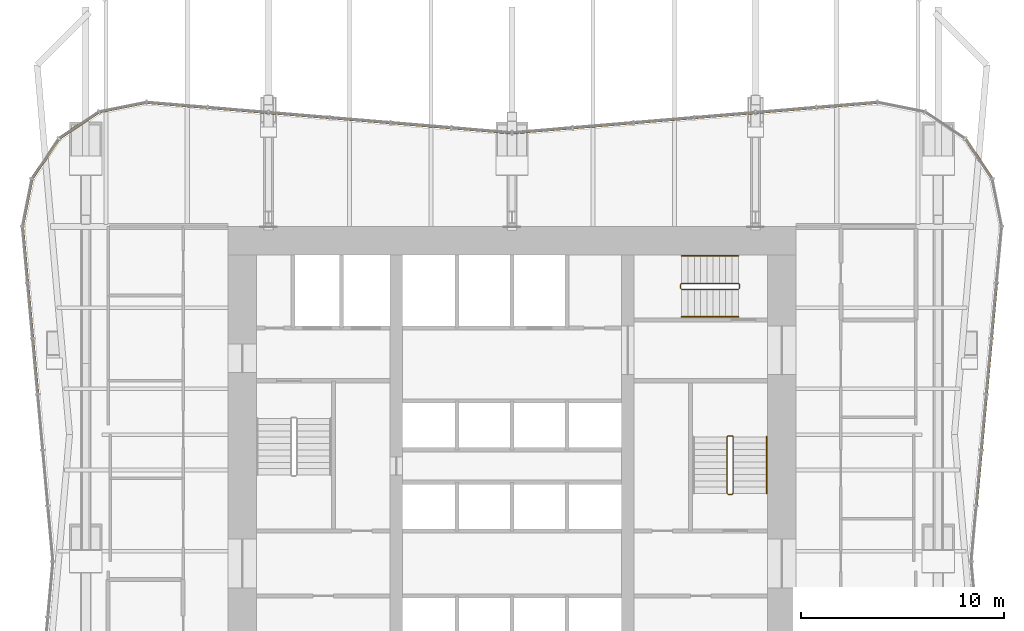
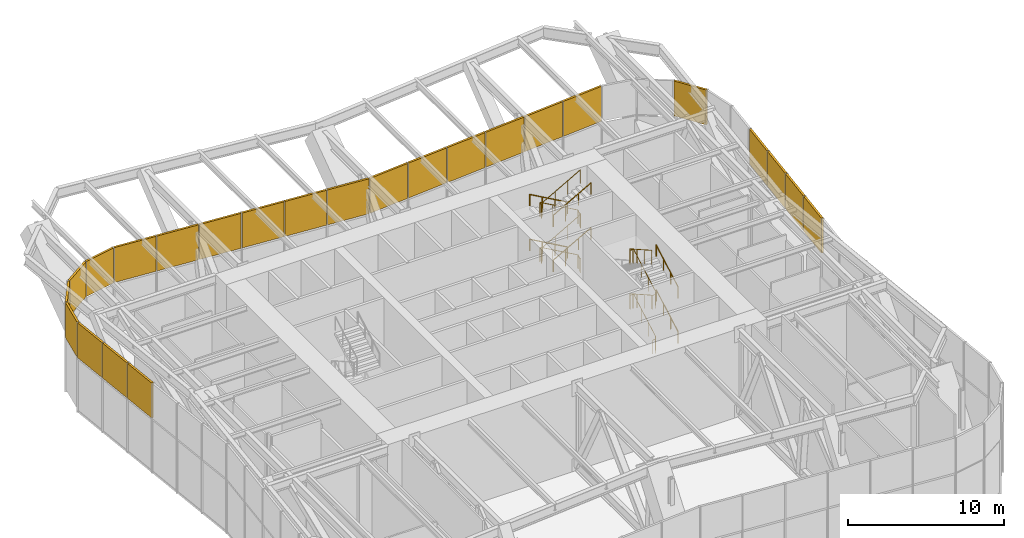
# One storey, part 16 of 17: 24 shading devices, 8 railings, 5 elements without a shape of their own.
"""IFC4 building model written with IfcOpenShell, lengths in metres."""

from ifc_helpers import new_model, si_unit, direction, frame, origin, origin_2d, place, context, subcontext, project, spatial, rectangle, circle, extrude, material, layer, layer_set, type_object, element, aggregate, save


model = new_model("IFC4")

# Units and contexts
model_context = context("Model", 3, precision=1e-05, world=origin(), true_north=direction((0.0, 1.0)))
body_context = subcontext(model_context, "Body", "Model", "MODEL_VIEW")
ifc_project = project(units=[si_unit("LENGTHUNIT", "METRE"), si_unit("AREAUNIT", "SQUARE_METRE"), si_unit("VOLUMEUNIT", "CUBIC_METRE"), si_unit("PLANEANGLEUNIT", "RADIAN"), si_unit("MASSUNIT", "GRAM", prefix="KILO")], contexts=[model_context])

# Site, building, storey
site_placement = place(None, origin())
site = spatial("IfcSite", under=ifc_project, at=site_placement, CompositionType="ELEMENT")
building_placement = place(site_placement, origin())
building = spatial("IfcBuilding", under=site, at=building_placement, Name="Verdant Reach Tower", CompositionType="ELEMENT")
storey_placement = place(building_placement, frame((0.0, 0.0, 58.0)))
storey = spatial("IfcBuildingStorey", under=building, at=storey_placement, Name="L13 Plant", CompositionType="ELEMENT", Elevation=58.0)

# Railings
ifc_material_1 = material(Name="Stainless steel", Category="steel")
railing_type_1 = type_object("IfcRailingType", Name="CO-GUARD", PredefinedType="GUARDRAIL", material=ifc_material_1)
railing_1_placement = place(storey_placement, frame((10.64990234375, 25.800048828125, 0.0)))
element("IfcRailing", 1, at=railing_1_placement, inside=storey, type_object=railing_type_1, Name="L13 Plant ST-2 stair guard 1", PredefinedType="GUARDRAIL", context=body_context, shape_type="SweptSolid", body=[
    extrude(circle(Radius=0.02392578125, at=origin_2d()), frame((0.0, 0.0, 1.076171875), z_axis=(1.0, 0.0, 0.0), x_axis=(0.0, 1.0, 0.0)), (0.0, 0.0, 1.0), 0.2001953125),
    extrude(circle(Radius=0.02392578125, at=origin_2d()), frame((0.2001953125, 0.0, 1.076171875), z_axis=(0.263862480399, 0.265155923931, 0.927399011991), x_axis=(-0.708833529934, 0.705375805398, 0.0)), (0.0, 0.0, 1.0), 0.188720703125),
    extrude(circle(Radius=0.02392578125, at=origin_2d()), frame((0.25, 0.050048828125, 1.2509765625), z_axis=(0.0, 0.870815363784, 0.491610213684), x_axis=(-1.0, 0.0, 0.0)), (0.0, 0.0, 1.0), 3.20361328125),
    extrude(circle(Radius=0.02392578125, at=origin_2d()), frame((0.25, 2.83984375, 2.826171875), z_axis=(-0.705375805398, 0.708833529934, 0.0), x_axis=(-0.708833529934, -0.705375805398, 0.0)), (0.0, 0.0, 1.0), 0.070556640625),
    extrude(circle(Radius=0.02392578125, at=origin_2d()), frame((0.2001953125, 2.889892578125, 2.826171875), z_axis=(-1.0, 0.0, 0.0), x_axis=(0.0, -1.0, 0.0)), (0.0, 0.0, 1.0), 0.2001953125),
    extrude(circle(Radius=0.02392578125, at=origin_2d()), frame((0.0, 2.889892578125, 2.826171875), z_axis=(-0.263862480399, -0.265155923931, 0.927399011991), x_axis=(0.708833529934, -0.705375805398, 0.0)), (0.0, 0.0, 1.0), 0.188720703125),
    extrude(circle(Radius=0.02392578125, at=origin_2d()), frame((-0.0498046875, 2.83984375, 3.0009765625), z_axis=(0.0, -0.870815363784, 0.491610213684), x_axis=(1.0, 0.0, 0.0)), (0.0, 0.0, 1.0), 3.20361328125),
    extrude(circle(Radius=0.02392578125, at=origin_2d()), frame((-0.0498046875, 0.050048828125, 4.576171875), z_axis=(0.705375805398, -0.708833529934, 0.0), x_axis=(0.708833529934, 0.705375805398, 0.0)), (0.0, 0.0, 1.0), 0.070556640625),
    extrude(circle(Radius=0.02392578125, at=origin_2d()), frame((0.0, 0.0, 4.576171875), z_axis=(1.0, 0.0, 0.0), x_axis=(0.0, 1.0, 0.0)), (0.0, 0.0, 1.0), 0.2001953125),
    extrude(circle(Radius=0.02392578125, at=origin_2d()), frame((0.2001953125, 0.0, 4.576171875), z_axis=(0.263862480399, 0.265155923931, 0.927399011991), x_axis=(-0.708833529934, 0.705375805398, 0.0)), (0.0, 0.0, 1.0), 0.188720703125),
    extrude(circle(Radius=0.02392578125, at=origin_2d()), frame((0.25, 0.050048828125, 4.7509765625), z_axis=(0.0, 0.870815363784, 0.491610213684), x_axis=(-1.0, 0.0, 0.0)), (0.0, 0.0, 1.0), 3.20361328125),
    extrude(circle(Radius=0.02392578125, at=origin_2d()), frame((0.25, 2.83984375, 6.326171875), z_axis=(-0.705375805398, 0.708833529934, 0.0), x_axis=(-0.708833529934, -0.705375805398, 0.0)), (0.0, 0.0, 1.0), 0.070556640625),
    extrude(circle(Radius=0.02392578125, at=origin_2d()), frame((0.2001953125, 2.889892578125, 6.326171875), z_axis=(-1.0, 0.0, 0.0), x_axis=(0.0, -1.0, 0.0)), (0.0, 0.0, 1.0), 0.2001953125),
    extrude(circle(Radius=0.02392578125, at=origin_2d()), frame((0.0, 2.889892578125, 6.326171875), z_axis=(-0.263862480399, -0.265155923931, 0.927399011991), x_axis=(0.708833529934, -0.705375805398, 0.0)), (0.0, 0.0, 1.0), 0.188720703125),
    extrude(circle(Radius=0.02392578125, at=origin_2d()), frame((-0.0498046875, 2.83984375, 6.5009765625), z_axis=(0.0, -0.870815363784, 0.491610213684), x_axis=(1.0, 0.0, 0.0)), (0.0, 0.0, 1.0), 3.20361328125),
    extrude(circle(Radius=0.02099609375, at=origin_2d()), origin(), (0.0, 0.0, 1.0), 1.052001953125),
    extrude(circle(Radius=0.02099609375, at=origin_2d()), frame((0.2001953125, 0.0, 0.0)), (0.0, 0.0, 1.0), 1.052001953125),
    extrude(circle(Radius=0.02099609375, at=origin_2d()), frame((0.25, 0.050048828125, 0.175048828125)), (0.0, 0.0, 1.0), 1.052001953125),
    extrude(circle(Radius=0.02099609375, at=origin_2d()), frame((0.25, 0.97998046875, 0.699951171875)), (0.0, 0.0, 1.0), 1.052001953125),
    extrude(circle(Radius=0.02099609375, at=origin_2d()), frame((0.25, 1.909912109375, 1.22509765625)), (0.0, 0.0, 1.0), 1.052001953125),
    extrude(circle(Radius=0.02099609375, at=origin_2d()), frame((0.25, 2.83984375, 1.75)), (0.0, 0.0, 1.0), 1.052001953125),
    extrude(circle(Radius=0.02099609375, at=origin_2d()), frame((0.2001953125, 2.889892578125, 1.75)), (0.0, 0.0, 1.0), 1.052001953125),
    extrude(circle(Radius=0.02099609375, at=origin_2d()), frame((0.0, 2.889892578125, 1.75)), (0.0, 0.0, 1.0), 1.052001953125),
    extrude(circle(Radius=0.02099609375, at=origin_2d()), frame((-0.0498046875, 2.83984375, 1.925048828125)), (0.0, 0.0, 1.0), 1.052001953125),
    extrude(circle(Radius=0.02099609375, at=origin_2d()), frame((-0.0498046875, 1.909912109375, 2.449951171875)), (0.0, 0.0, 1.0), 1.052001953125),
    extrude(circle(Radius=0.02099609375, at=origin_2d()), frame((-0.0498046875, 0.97998046875, 2.97509765625)), (0.0, 0.0, 1.0), 1.052001953125),
    extrude(circle(Radius=0.02099609375, at=origin_2d()), frame((-0.0498046875, 0.050048828125, 3.5)), (0.0, 0.0, 1.0), 1.052001953125),
    extrude(circle(Radius=0.02099609375, at=origin_2d()), frame((0.0, 0.0, 3.5)), (0.0, 0.0, 1.0), 1.052001953125),
    extrude(circle(Radius=0.02099609375, at=origin_2d()), frame((0.2001953125, 0.0, 3.5)), (0.0, 0.0, 1.0), 1.052001953125),
    extrude(circle(Radius=0.02099609375, at=origin_2d()), frame((0.25, 0.050048828125, 3.675048828125)), (0.0, 0.0, 1.0), 1.052001953125),
    extrude(circle(Radius=0.02099609375, at=origin_2d()), frame((0.25, 0.97998046875, 4.199951171875)), (0.0, 0.0, 1.0), 1.052001953125),
    extrude(circle(Radius=0.02099609375, at=origin_2d()), frame((0.25, 1.909912109375, 4.72509765625)), (0.0, 0.0, 1.0), 1.052001953125),
    extrude(circle(Radius=0.02099609375, at=origin_2d()), frame((0.25, 2.83984375, 5.25)), (0.0, 0.0, 1.0), 1.052001953125),
    extrude(circle(Radius=0.02099609375, at=origin_2d()), frame((0.2001953125, 2.889892578125, 5.25)), (0.0, 0.0, 1.0), 1.052001953125),
    extrude(circle(Radius=0.02099609375, at=origin_2d()), frame((0.0, 2.889892578125, 5.25)), (0.0, 0.0, 1.0), 1.052001953125),
    extrude(circle(Radius=0.02099609375, at=origin_2d()), frame((-0.0498046875, 2.83984375, 5.425048828125)), (0.0, 0.0, 1.0), 1.052001953125),
    extrude(circle(Radius=0.02099609375, at=origin_2d()), frame((-0.0498046875, 1.909912109375, 5.949951171875)), (0.0, 0.0, 1.0), 1.052001953125),
    extrude(circle(Radius=0.02099609375, at=origin_2d()), frame((-0.0498046875, 0.97998046875, 6.47509765625)), (0.0, 0.0, 1.0), 1.052001953125),
    extrude(circle(Radius=0.02099609375, at=origin_2d()), frame((-0.0498046875, 0.050048828125, 7.0)), (0.0, 0.0, 1.0), 1.052001953125),
])
railing_2_placement = place(storey_placement, frame((11.199951171875, 35.949951171875, 0.0)))
element("IfcRailing", 2, at=railing_2_placement, inside=storey, type_object=railing_type_1, Name="L13 Plant ST-3 stair guard 1", PredefinedType="GUARDRAIL", context=body_context, shape_type="SweptSolid", body=[
    extrude(circle(Radius=0.02392578125, at=origin_2d()), frame((0.0, 0.0, 1.076171875), z_axis=(0.0, 1.0, 0.0), x_axis=(-1.0, 0.0, 0.0)), (0.0, 0.0, 1.0), 0.199951171875),
    extrude(circle(Radius=0.02392578125, at=origin_2d()), frame((0.0, 0.199951171875, 1.076171875), z_axis=(-0.265065253269, 0.265065253269, 0.927081885822), x_axis=(-0.707106781187, -0.707106781187, 0.0)), (0.0, 0.0, 1.0), 0.188720703125),
    extrude(circle(Radius=0.02392578125, at=origin_2d()), frame((-0.050048828125, 0.25, 1.2509765625), z_axis=(-0.870815363784, 0.0, 0.491610213684), x_axis=(0.0, -1.0, 0.0)), (0.0, 0.0, 1.0), 3.20361328125),
    extrude(circle(Radius=0.02392578125, at=origin_2d()), frame((-2.83984375, 0.25, 2.826171875), z_axis=(-0.707106781187, -0.707106781187, 0.0), x_axis=(0.707106781187, -0.707106781187, 0.0)), (0.0, 0.0, 1.0), 0.07080078125),
    extrude(circle(Radius=0.02392578125, at=origin_2d()), frame((-2.889892578125, 0.199951171875, 2.826171875), z_axis=(0.0, -1.0, 0.0), x_axis=(1.0, 0.0, 0.0)), (0.0, 0.0, 1.0), 0.199951171875),
    extrude(circle(Radius=0.02392578125, at=origin_2d()), frame((-2.889892578125, 0.0, 2.826171875), z_axis=(0.265065253269, -0.265065253269, 0.927081885822), x_axis=(0.707106781187, 0.707106781187, 0.0)), (0.0, 0.0, 1.0), 0.188720703125),
    extrude(circle(Radius=0.02392578125, at=origin_2d()), frame((-2.83984375, -0.050048828125, 3.0009765625), z_axis=(0.870815363784, 0.0, 0.491610213684), x_axis=(0.0, 1.0, 0.0)), (0.0, 0.0, 1.0), 3.20361328125),
    extrude(circle(Radius=0.02392578125, at=origin_2d()), frame((-0.050048828125, -0.050048828125, 4.576171875), z_axis=(0.707106781187, 0.707106781187, 0.0), x_axis=(-0.707106781187, 0.707106781187, 0.0)), (0.0, 0.0, 1.0), 0.07080078125),
    extrude(circle(Radius=0.02392578125, at=origin_2d()), frame((0.0, 0.0, 4.576171875), z_axis=(0.0, 1.0, 0.0), x_axis=(-1.0, 0.0, 0.0)), (0.0, 0.0, 1.0), 0.199951171875),
    extrude(circle(Radius=0.02392578125, at=origin_2d()), frame((0.0, 0.199951171875, 4.576171875), z_axis=(-0.265065253269, 0.265065253269, 0.927081885822), x_axis=(-0.707106781187, -0.707106781187, 0.0)), (0.0, 0.0, 1.0), 0.188720703125),
    extrude(circle(Radius=0.02392578125, at=origin_2d()), frame((-0.050048828125, 0.25, 4.7509765625), z_axis=(-0.870815363784, 0.0, 0.491610213684), x_axis=(0.0, -1.0, 0.0)), (0.0, 0.0, 1.0), 3.20361328125),
    extrude(circle(Radius=0.02392578125, at=origin_2d()), frame((-2.83984375, 0.25, 6.326171875), z_axis=(-0.707106781187, -0.707106781187, 0.0), x_axis=(0.707106781187, -0.707106781187, 0.0)), (0.0, 0.0, 1.0), 0.07080078125),
    extrude(circle(Radius=0.02392578125, at=origin_2d()), frame((-2.889892578125, 0.199951171875, 6.326171875), z_axis=(0.0, -1.0, 0.0), x_axis=(1.0, 0.0, 0.0)), (0.0, 0.0, 1.0), 0.199951171875),
    extrude(circle(Radius=0.02392578125, at=origin_2d()), frame((-2.889892578125, 0.0, 6.326171875), z_axis=(0.265065253269, -0.265065253269, 0.927081885822), x_axis=(0.707106781187, 0.707106781187, 0.0)), (0.0, 0.0, 1.0), 0.188720703125),
    extrude(circle(Radius=0.02392578125, at=origin_2d()), frame((-2.83984375, -0.050048828125, 6.5009765625), z_axis=(0.870815363784, 0.0, 0.491610213684), x_axis=(0.0, 1.0, 0.0)), (0.0, 0.0, 1.0), 3.20361328125),
    extrude(circle(Radius=0.02099609375, at=origin_2d()), origin(), (0.0, 0.0, 1.0), 1.052001953125),
    extrude(circle(Radius=0.02099609375, at=origin_2d()), frame((0.0, 0.199951171875, 0.0)), (0.0, 0.0, 1.0), 1.052001953125),
    extrude(circle(Radius=0.02099609375, at=origin_2d()), frame((-0.050048828125, 0.25, 0.175048828125)), (0.0, 0.0, 1.0), 1.052001953125),
    extrude(circle(Radius=0.02099609375, at=origin_2d()), frame((-0.97998046875, 0.25, 0.699951171875)), (0.0, 0.0, 1.0), 1.052001953125),
    extrude(circle(Radius=0.02099609375, at=origin_2d()), frame((-1.909912109375, 0.25, 1.22509765625)), (0.0, 0.0, 1.0), 1.052001953125),
    extrude(circle(Radius=0.02099609375, at=origin_2d()), frame((-2.83984375, 0.25, 1.75)), (0.0, 0.0, 1.0), 1.052001953125),
    extrude(circle(Radius=0.02099609375, at=origin_2d()), frame((-2.889892578125, 0.199951171875, 1.75)), (0.0, 0.0, 1.0), 1.052001953125),
    extrude(circle(Radius=0.02099609375, at=origin_2d()), frame((-2.889892578125, 0.0, 1.75)), (0.0, 0.0, 1.0), 1.052001953125),
    extrude(circle(Radius=0.02099609375, at=origin_2d()), frame((-2.83984375, -0.050048828125, 1.925048828125)), (0.0, 0.0, 1.0), 1.052001953125),
    extrude(circle(Radius=0.02099609375, at=origin_2d()), frame((-1.909912109375, -0.050048828125, 2.449951171875)), (0.0, 0.0, 1.0), 1.052001953125),
    extrude(circle(Radius=0.02099609375, at=origin_2d()), frame((-0.97998046875, -0.050048828125, 2.97509765625)), (0.0, 0.0, 1.0), 1.052001953125),
    extrude(circle(Radius=0.02099609375, at=origin_2d()), frame((-0.050048828125, -0.050048828125, 3.5)), (0.0, 0.0, 1.0), 1.052001953125),
    extrude(circle(Radius=0.02099609375, at=origin_2d()), frame((0.0, 0.0, 3.5)), (0.0, 0.0, 1.0), 1.052001953125),
    extrude(circle(Radius=0.02099609375, at=origin_2d()), frame((0.0, 0.199951171875, 3.5)), (0.0, 0.0, 1.0), 1.052001953125),
    extrude(circle(Radius=0.02099609375, at=origin_2d()), frame((-0.050048828125, 0.25, 3.675048828125)), (0.0, 0.0, 1.0), 1.052001953125),
    extrude(circle(Radius=0.02099609375, at=origin_2d()), frame((-0.97998046875, 0.25, 4.199951171875)), (0.0, 0.0, 1.0), 1.052001953125),
    extrude(circle(Radius=0.02099609375, at=origin_2d()), frame((-1.909912109375, 0.25, 4.72509765625)), (0.0, 0.0, 1.0), 1.052001953125),
    extrude(circle(Radius=0.02099609375, at=origin_2d()), frame((-2.83984375, 0.25, 5.25)), (0.0, 0.0, 1.0), 1.052001953125),
    extrude(circle(Radius=0.02099609375, at=origin_2d()), frame((-2.889892578125, 0.199951171875, 5.25)), (0.0, 0.0, 1.0), 1.052001953125),
    extrude(circle(Radius=0.02099609375, at=origin_2d()), frame((-2.889892578125, 0.0, 5.25)), (0.0, 0.0, 1.0), 1.052001953125),
    extrude(circle(Radius=0.02099609375, at=origin_2d()), frame((-2.83984375, -0.050048828125, 5.425048828125)), (0.0, 0.0, 1.0), 1.052001953125),
    extrude(circle(Radius=0.02099609375, at=origin_2d()), frame((-1.909912109375, -0.050048828125, 5.949951171875)), (0.0, 0.0, 1.0), 1.052001953125),
    extrude(circle(Radius=0.02099609375, at=origin_2d()), frame((-0.97998046875, -0.050048828125, 6.47509765625)), (0.0, 0.0, 1.0), 1.052001953125),
    extrude(circle(Radius=0.02099609375, at=origin_2d()), frame((-0.050048828125, -0.050048828125, 7.0)), (0.0, 0.0, 1.0), 1.052001953125),
])
railing_type_2 = type_object("IfcRailingType", Name="CO-HANDRAIL", PredefinedType="HANDRAIL", material=ifc_material_1)
for number, where, name in (
    (3, (12.550048828125, 25.85009765625, 0.175048828125), "L13 Plant ST-2 stair handrail 1"),
    (4, (12.550048828125, 25.85009765625, 3.675048828125), "L13 Plant ST-2 stair handrail 3"),
):
    element("IfcRailing", number, at=place(storey_placement, frame(where)), inside=storey, type_object=railing_type_2, Name=name, PredefinedType="HANDRAIL", context=body_context, shape_type="SweptSolid", body=[
        extrude(circle(Radius=0.02392578125, at=origin_2d()), frame((0.0, 0.0, 0.8759765625), z_axis=(0.0, 0.870815363784, 0.491610213684), x_axis=(-1.0, 0.0, 0.0)), (0.0, 0.0, 1.0), 3.20361328125),
        extrude(circle(Radius=0.02099609375, at=origin_2d()), origin(), (0.0, 0.0, 1.0), 0.851806640625),
        extrude(circle(Radius=0.02099609375, at=origin_2d()), frame((0.0, 0.929931640625, 0.52490234375)), (0.0, 0.0, 1.0), 0.851806640625),
        extrude(circle(Radius=0.02099609375, at=origin_2d()), frame((0.0, 1.85986328125, 1.050048828125)), (0.0, 0.0, 1.0), 0.851806640625),
        extrude(circle(Radius=0.02099609375, at=origin_2d()), frame((0.0, 2.789794921875, 1.574951171875)), (0.0, 0.0, 1.0), 0.851806640625),
    ])
railing_3_placement = place(storey_placement, frame((11.14990234375, 37.550048828125, 0.175048828125)))
element("IfcRailing", 5, at=railing_3_placement, inside=storey, type_object=railing_type_2, Name="L13 Plant ST-3 stair handrail 1", PredefinedType="HANDRAIL", context=body_context, shape_type="SweptSolid", body=[
    extrude(circle(Radius=0.02392578125, at=origin_2d()), frame((0.0, 0.0, 0.8759765625), z_axis=(-0.870815363784, 0.0, 0.491610213684), x_axis=(0.0, -1.0, 0.0)), (0.0, 0.0, 1.0), 3.20361328125),
    extrude(circle(Radius=0.02099609375, at=origin_2d()), origin(), (0.0, 0.0, 1.0), 0.851806640625),
    extrude(circle(Radius=0.02099609375, at=origin_2d()), frame((-0.929931640625, 0.0, 0.52490234375)), (0.0, 0.0, 1.0), 0.851806640625),
    extrude(circle(Radius=0.02099609375, at=origin_2d()), frame((-1.85986328125, 0.0, 1.050048828125)), (0.0, 0.0, 1.0), 0.851806640625),
    extrude(circle(Radius=0.02099609375, at=origin_2d()), frame((-2.789794921875, 0.0, 1.574951171875)), (0.0, 0.0, 1.0), 0.851806640625),
])
railing_4_placement = place(storey_placement, frame((8.360107421875, 34.550048828125, 1.925048828125)))
element("IfcRailing", 6, at=railing_4_placement, inside=storey, type_object=railing_type_2, Name="L13 Plant ST-3 stair handrail 2", PredefinedType="HANDRAIL", context=body_context, shape_type="SweptSolid", body=[
    extrude(circle(Radius=0.02392578125, at=origin_2d()), frame((0.0, 0.0, 0.8759765625), z_axis=(0.870815363784, 0.0, 0.491610213684), x_axis=(0.0, 1.0, 0.0)), (0.0, 0.0, 1.0), 3.20361328125),
    extrude(circle(Radius=0.02099609375, at=origin_2d()), origin(), (0.0, 0.0, 1.0), 0.851806640625),
    extrude(circle(Radius=0.02099609375, at=origin_2d()), frame((0.929931640625, 0.0, 0.52490234375)), (0.0, 0.0, 1.0), 0.851806640625),
    extrude(circle(Radius=0.02099609375, at=origin_2d()), frame((1.85986328125, 0.0, 1.050048828125)), (0.0, 0.0, 1.0), 0.851806640625),
    extrude(circle(Radius=0.02099609375, at=origin_2d()), frame((2.789794921875, 0.0, 1.574951171875)), (0.0, 0.0, 1.0), 0.851806640625),
])
railing_5_placement = place(storey_placement, frame((11.14990234375, 37.550048828125, 3.675048828125)))
element("IfcRailing", 7, at=railing_5_placement, inside=storey, type_object=railing_type_2, Name="L13 Plant ST-3 stair handrail 3", PredefinedType="HANDRAIL", context=body_context, shape_type="SweptSolid", body=[
    extrude(circle(Radius=0.02392578125, at=origin_2d()), frame((0.0, 0.0, 0.8759765625), z_axis=(-0.870815363784, 0.0, 0.491610213684), x_axis=(0.0, -1.0, 0.0)), (0.0, 0.0, 1.0), 3.20361328125),
    extrude(circle(Radius=0.02099609375, at=origin_2d()), origin(), (0.0, 0.0, 1.0), 0.851806640625),
    extrude(circle(Radius=0.02099609375, at=origin_2d()), frame((-0.929931640625, 0.0, 0.52490234375)), (0.0, 0.0, 1.0), 0.851806640625),
    extrude(circle(Radius=0.02099609375, at=origin_2d()), frame((-1.85986328125, 0.0, 1.050048828125)), (0.0, 0.0, 1.0), 0.851806640625),
    extrude(circle(Radius=0.02099609375, at=origin_2d()), frame((-2.789794921875, 0.0, 1.574951171875)), (0.0, 0.0, 1.0), 0.851806640625),
])
railing_6_placement = place(storey_placement, frame((8.360107421875, 34.550048828125, 5.425048828125)))
element("IfcRailing", 8, at=railing_6_placement, inside=storey, type_object=railing_type_2, Name="L13 Plant ST-3 stair handrail 4", PredefinedType="HANDRAIL", context=body_context, shape_type="SweptSolid", body=[
    extrude(circle(Radius=0.02392578125, at=origin_2d()), frame((0.0, 0.0, 0.8759765625), z_axis=(0.870815363784, 0.0, 0.491610213684), x_axis=(0.0, 1.0, 0.0)), (0.0, 0.0, 1.0), 3.20361328125),
    extrude(circle(Radius=0.02099609375, at=origin_2d()), origin(), (0.0, 0.0, 1.0), 0.851806640625),
    extrude(circle(Radius=0.02099609375, at=origin_2d()), frame((0.929931640625, 0.0, 0.52490234375)), (0.0, 0.0, 1.0), 0.851806640625),
    extrude(circle(Radius=0.02099609375, at=origin_2d()), frame((1.85986328125, 0.0, 1.050048828125)), (0.0, 0.0, 1.0), 0.851806640625),
    extrude(circle(Radius=0.02099609375, at=origin_2d()), frame((2.789794921875, 0.0, 1.574951171875)), (0.0, 0.0, 1.0), 0.851806640625),
])

# Curtain wall, shading devices
ifc_material_2 = material(Name="Anodised aluminium", Category="aluminium")
curtain_wall_type = type_object("IfcCurtainWallType", Name="EN-CW SYSTEM PLANT", PredefinedType="NOTDEFINED", material=ifc_material_2)
curtain_wall_1_placement = place(storey_placement, origin())
curtain_wall_1 = element("IfcCurtainWall", 9, at=curtain_wall_1_placement, inside=storey, type_object=curtain_wall_type, Name="Curtain wall east, L13", PredefinedType="NOTDEFINED")
ifc_material_3 = material(Name="Bronze anodised aluminium louvre", Category="aluminium")
ifc_layer = layer(ifc_material_3, 0.14990234375)
ifc_layer_set = layer_set([ifc_layer], Name="EN-LOUVRE")
shading_device_type = type_object("IfcShadingDeviceType", Name="EN-LOUVRE", PredefinedType="USERDEFINED", material=ifc_layer_set)
shading_device_1_placement = place(storey_placement, frame((22.993408203125, 26.6142578125, 3.925048828125), z_axis=(0.0, 0.0, 1.0), x_axis=(0.090535746047, 0.995893206467, 0.0)))
shading_device_1 = element("IfcShadingDevice", 10, at=shading_device_1_placement, type_object=shading_device_type, Name="Louvre bank east face part 2 2, L13", ObjectType="LOUVRE", PredefinedType="USERDEFINED", context=body_context, shape_type="SweptSolid", body=[
    extrude(rectangle(XDim=2.685302734375, YDim=0.14990234375, at=origin_2d()), origin(), (0.0, 0.0, 1.0), 2.72509765625),
])
shading_device_2_placement = place(storey_placement, frame((23.243408203125, 29.3642578125, 3.925048828125), z_axis=(0.0, 0.0, 1.0), x_axis=(0.090535746047, 0.995893206467, 0.0)))
shading_device_2 = element("IfcShadingDevice", 11, at=shading_device_2_placement, type_object=shading_device_type, Name="Louvre bank east face part 2 3, L13", ObjectType="LOUVRE", PredefinedType="USERDEFINED", context=body_context, shape_type="SweptSolid", body=[
    extrude(rectangle(XDim=2.685302734375, YDim=0.14990234375, at=origin_2d()), origin(), (0.0, 0.0, 1.0), 2.72509765625),
])
shading_device_3_placement = place(storey_placement, frame((23.493408203125, 32.1142578125, 3.925048828125), z_axis=(0.0, 0.0, 1.0), x_axis=(0.090535746047, 0.995893206467, 0.0)))
shading_device_3 = element("IfcShadingDevice", 12, at=shading_device_3_placement, type_object=shading_device_type, Name="Louvre bank east face part 2 4, L13", ObjectType="LOUVRE", PredefinedType="USERDEFINED", context=body_context, shape_type="SweptSolid", body=[
    extrude(rectangle(XDim=2.685302734375, YDim=0.14990234375, at=origin_2d()), origin(), (0.0, 0.0, 1.0), 2.72509765625),
])
shading_device_4_placement = place(storey_placement, frame((23.743408203125, 34.8642578125, 3.925048828125), z_axis=(0.0, 0.0, 1.0), x_axis=(0.090535746047, 0.995893206467, 0.0)))
shading_device_4 = element("IfcShadingDevice", 13, at=shading_device_4_placement, type_object=shading_device_type, Name="Louvre bank east face part 2 5, L13", ObjectType="LOUVRE", PredefinedType="USERDEFINED", context=body_context, shape_type="SweptSolid", body=[
    extrude(rectangle(XDim=2.685302734375, YDim=0.14990234375, at=origin_2d()), origin(), (0.0, 0.0, 1.0), 2.72509765625),
])
aggregate(curtain_wall_1, [shading_device_1, shading_device_2, shading_device_3, shading_device_4])

# Curtain wall, shading device
curtain_wall_2_placement = place(storey_placement, origin())
curtain_wall_2 = element("IfcCurtainWall", 14, at=curtain_wall_2_placement, inside=storey, type_object=curtain_wall_type, Name="Curtain wall north-east corner, L13", PredefinedType="NOTDEFINED")
shading_device_5_placement = place(storey_placement, frame((22.989990234375, 42.334228515625, 3.925048828125), z_axis=(0.0, 0.0, 1.0), x_axis=(-0.555596466265, 0.83145208321, 0.0)))
shading_device_5 = element("IfcShadingDevice", 15, at=shading_device_5_placement, type_object=shading_device_type, Name="Louvre bank north-east corner 2, L13", ObjectType="LOUVRE", PredefinedType="USERDEFINED", context=body_context, shape_type="SweptSolid", body=[
    extrude(rectangle(XDim=2.3115234375, YDim=0.14990234375, at=origin_2d()), origin(), (0.0, 0.0, 1.0), 2.72509765625),
])
aggregate(curtain_wall_2, [shading_device_5])

# Curtain wall, shading devices
curtain_wall_3_placement = place(storey_placement, origin())
curtain_wall_3 = element("IfcCurtainWall", 16, at=curtain_wall_3_placement, inside=storey, type_object=curtain_wall_type, Name="Curtain wall north, L13", PredefinedType="NOTDEFINED")
shading_device_6_placement = place(storey_placement, frame((16.49853515625, 44.99365234375, 3.925048828125), z_axis=(0.0, 0.0, 1.0), x_axis=(-0.996577509664, -0.082663578629, 0.0)))
shading_device_6 = element("IfcShadingDevice", 17, at=shading_device_6_placement, type_object=shading_device_type, Name="Louvre bank north face part 1 1, L13", ObjectType="LOUVRE", PredefinedType="USERDEFINED", context=body_context, shape_type="SweptSolid", body=[
    extrude(rectangle(XDim=2.950927734375, YDim=0.14990234375, at=origin_2d()), origin(), (0.0, 0.0, 1.0), 2.72509765625),
])
shading_device_7_placement = place(storey_placement, frame((13.490234375, 44.74365234375, 3.925048828125), z_axis=(0.0, 0.0, 1.0), x_axis=(-0.996545758244, -0.083045479859, 0.0)))
shading_device_7 = element("IfcShadingDevice", 18, at=shading_device_7_placement, type_object=shading_device_type, Name="Louvre bank north face part 1 2, L13", ObjectType="LOUVRE", PredefinedType="USERDEFINED", context=body_context, shape_type="SweptSolid", body=[
    extrude(rectangle(XDim=2.934326171875, YDim=0.14990234375, at=origin_2d()), origin(), (0.0, 0.0, 1.0), 2.72509765625),
])
shading_device_8_placement = place(storey_placement, frame((10.490234375, 44.49365234375, 3.925048828125), z_axis=(0.0, 0.0, 1.0), x_axis=(-0.996545758244, -0.083045479859, 0.0)))
shading_device_8 = element("IfcShadingDevice", 19, at=shading_device_8_placement, type_object=shading_device_type, Name="Louvre bank north face part 1 3, L13", ObjectType="LOUVRE", PredefinedType="USERDEFINED", context=body_context, shape_type="SweptSolid", body=[
    extrude(rectangle(XDim=2.934326171875, YDim=0.14990234375, at=origin_2d()), origin(), (0.0, 0.0, 1.0), 2.72509765625),
])
shading_device_9_placement = place(storey_placement, frame((7.490234375, 44.24365234375, 3.925048828125), z_axis=(0.0, 0.0, 1.0), x_axis=(-0.996545758244, -0.083045479859, 0.0)))
shading_device_9 = element("IfcShadingDevice", 20, at=shading_device_9_placement, type_object=shading_device_type, Name="Louvre bank north face part 1 4, L13", ObjectType="LOUVRE", PredefinedType="USERDEFINED", context=body_context, shape_type="SweptSolid", body=[
    extrude(rectangle(XDim=2.934326171875, YDim=0.14990234375, at=origin_2d()), origin(), (0.0, 0.0, 1.0), 2.72509765625),
])
shading_device_10_placement = place(storey_placement, frame((4.490234375, 43.99365234375, 3.925048828125), z_axis=(0.0, 0.0, 1.0), x_axis=(-0.996545758244, -0.083045479859, 0.0)))
shading_device_10 = element("IfcShadingDevice", 21, at=shading_device_10_placement, type_object=shading_device_type, Name="Louvre bank north face part 1 5, L13", ObjectType="LOUVRE", PredefinedType="USERDEFINED", context=body_context, shape_type="SweptSolid", body=[
    extrude(rectangle(XDim=2.934326171875, YDim=0.14990234375, at=origin_2d()), origin(), (0.0, 0.0, 1.0), 2.72509765625),
])
shading_device_11_placement = place(storey_placement, frame((1.4951171875, 43.743896484375, 3.925048828125), z_axis=(0.0, 0.0, 1.0), x_axis=(-0.996534372104, -0.083182000546, 0.0)))
shading_device_11 = element("IfcShadingDevice", 22, at=shading_device_11_placement, type_object=shading_device_type, Name="Louvre bank north face part 1 6, L13", ObjectType="LOUVRE", PredefinedType="USERDEFINED", context=body_context, shape_type="SweptSolid", body=[
    extrude(rectangle(XDim=2.924560546875, YDim=0.14990234375, at=origin_2d()), origin(), (0.0, 0.0, 1.0), 2.72509765625),
])
shading_device_12_placement = place(storey_placement, frame((-1.4951171875, 43.743896484375, 3.925048828125), z_axis=(0.0, 0.0, 1.0), x_axis=(-0.996534372104, 0.083182000546, 0.0)))
shading_device_12 = element("IfcShadingDevice", 23, at=shading_device_12_placement, type_object=shading_device_type, Name="Louvre bank north face part 2 1, L13", ObjectType="LOUVRE", PredefinedType="USERDEFINED", context=body_context, shape_type="SweptSolid", body=[
    extrude(rectangle(XDim=2.924560546875, YDim=0.14990234375, at=origin_2d()), origin(), (0.0, 0.0, 1.0), 2.72509765625),
])
shading_device_13_placement = place(storey_placement, frame((-4.490234375, 43.99365234375, 3.925048828125), z_axis=(0.0, 0.0, 1.0), x_axis=(-0.996545758244, 0.083045479859, 0.0)))
shading_device_13 = element("IfcShadingDevice", 24, at=shading_device_13_placement, type_object=shading_device_type, Name="Louvre bank north face part 2 2, L13", ObjectType="LOUVRE", PredefinedType="USERDEFINED", context=body_context, shape_type="SweptSolid", body=[
    extrude(rectangle(XDim=2.934326171875, YDim=0.14990234375, at=origin_2d()), origin(), (0.0, 0.0, 1.0), 2.72509765625),
])
shading_device_14_placement = place(storey_placement, frame((-7.490234375, 44.24365234375, 3.925048828125), z_axis=(0.0, 0.0, 1.0), x_axis=(-0.996545758244, 0.083045479859, 0.0)))
shading_device_14 = element("IfcShadingDevice", 25, at=shading_device_14_placement, type_object=shading_device_type, Name="Louvre bank north face part 2 3, L13", ObjectType="LOUVRE", PredefinedType="USERDEFINED", context=body_context, shape_type="SweptSolid", body=[
    extrude(rectangle(XDim=2.934326171875, YDim=0.14990234375, at=origin_2d()), origin(), (0.0, 0.0, 1.0), 2.72509765625),
])
shading_device_15_placement = place(storey_placement, frame((-10.490234375, 44.49365234375, 3.925048828125), z_axis=(0.0, 0.0, 1.0), x_axis=(-0.996545758244, 0.083045479859, 0.0)))
shading_device_15 = element("IfcShadingDevice", 26, at=shading_device_15_placement, type_object=shading_device_type, Name="Louvre bank north face part 2 4, L13", ObjectType="LOUVRE", PredefinedType="USERDEFINED", context=body_context, shape_type="SweptSolid", body=[
    extrude(rectangle(XDim=2.934326171875, YDim=0.14990234375, at=origin_2d()), origin(), (0.0, 0.0, 1.0), 2.72509765625),
])
shading_device_16_placement = place(storey_placement, frame((-13.490234375, 44.74365234375, 3.925048828125), z_axis=(0.0, 0.0, 1.0), x_axis=(-0.996545758244, 0.083045479859, 0.0)))
shading_device_16 = element("IfcShadingDevice", 27, at=shading_device_16_placement, type_object=shading_device_type, Name="Louvre bank north face part 2 5, L13", ObjectType="LOUVRE", PredefinedType="USERDEFINED", context=body_context, shape_type="SweptSolid", body=[
    extrude(rectangle(XDim=2.934326171875, YDim=0.14990234375, at=origin_2d()), origin(), (0.0, 0.0, 1.0), 2.72509765625),
])
shading_device_17_placement = place(storey_placement, frame((-16.49853515625, 44.99365234375, 3.925048828125), z_axis=(0.0, 0.0, 1.0), x_axis=(-0.996577509664, 0.082663578629, 0.0)))
shading_device_17 = element("IfcShadingDevice", 28, at=shading_device_17_placement, type_object=shading_device_type, Name="Louvre bank north face part 2 6, L13", ObjectType="LOUVRE", PredefinedType="USERDEFINED", context=body_context, shape_type="SweptSolid", body=[
    extrude(rectangle(XDim=2.950927734375, YDim=0.14990234375, at=origin_2d()), origin(), (0.0, 0.0, 1.0), 2.72509765625),
])
aggregate(curtain_wall_3, [shading_device_6, shading_device_7, shading_device_8, shading_device_9, shading_device_10, shading_device_11, shading_device_12, shading_device_13, shading_device_14, shading_device_15, shading_device_16, shading_device_17])

curtain_wall_4_placement = place(storey_placement, origin())
curtain_wall_4 = element("IfcCurtainWall", 29, at=curtain_wall_4_placement, inside=storey, type_object=curtain_wall_type, Name="Curtain wall north-west corner, L13", PredefinedType="NOTDEFINED")
shading_device_18_placement = place(storey_placement, frame((-19.174072265625, 44.885986328125, 3.925048828125), z_axis=(0.0, 0.0, 1.0), x_axis=(-0.980694678629, -0.195545256419, 0.0)))
shading_device_18 = element("IfcShadingDevice", 30, at=shading_device_18_placement, type_object=shading_device_type, Name="Louvre bank north-west corner 1, L13", ObjectType="LOUVRE", PredefinedType="USERDEFINED", context=body_context, shape_type="SweptSolid", body=[
    extrude(rectangle(XDim=2.304931640625, YDim=0.14990234375, at=origin_2d()), origin(), (0.0, 0.0, 1.0), 2.72509765625),
])
shading_device_19_placement = place(storey_placement, frame((-21.334228515625, 43.989990234375, 3.925048828125), z_axis=(0.0, 0.0, 1.0), x_axis=(-0.83145208321, -0.555596466265, 0.0)))
shading_device_19 = element("IfcShadingDevice", 31, at=shading_device_19_placement, type_object=shading_device_type, Name="Louvre bank north-west corner 2, L13", ObjectType="LOUVRE", PredefinedType="USERDEFINED", context=body_context, shape_type="SweptSolid", body=[
    extrude(rectangle(XDim=2.3115234375, YDim=0.14990234375, at=origin_2d()), origin(), (0.0, 0.0, 1.0), 2.72509765625),
])
shading_device_20_placement = place(storey_placement, frame((-22.989990234375, 42.334228515625, 3.925048828125), z_axis=(0.0, 0.0, 1.0), x_axis=(-0.555596466265, -0.83145208321, 0.0)))
shading_device_20 = element("IfcShadingDevice", 32, at=shading_device_20_placement, type_object=shading_device_type, Name="Louvre bank north-west corner 3, L13", ObjectType="LOUVRE", PredefinedType="USERDEFINED", context=body_context, shape_type="SweptSolid", body=[
    extrude(rectangle(XDim=2.3115234375, YDim=0.14990234375, at=origin_2d()), origin(), (0.0, 0.0, 1.0), 2.72509765625),
])
shading_device_21_placement = place(storey_placement, frame((-23.885986328125, 40.174072265625, 3.925048828125), z_axis=(0.0, 0.0, 1.0), x_axis=(-0.195519165622, -0.980699880633, 0.0)))
shading_device_21 = element("IfcShadingDevice", 33, at=shading_device_21_placement, type_object=shading_device_type, Name="Louvre bank north-west corner 4, L13", ObjectType="LOUVRE", PredefinedType="USERDEFINED", context=body_context, shape_type="SweptSolid", body=[
    extrude(rectangle(XDim=2.305419921875, YDim=0.14990234375, at=origin_2d()), origin(), (0.0, 0.0, 1.0), 2.72509765625),
])
aggregate(curtain_wall_4, [shading_device_18, shading_device_19, shading_device_20, shading_device_21])

curtain_wall_5_placement = place(storey_placement, origin())
curtain_wall_5 = element("IfcCurtainWall", 34, at=curtain_wall_5_placement, inside=storey, type_object=curtain_wall_type, Name="Curtain wall west, L13", PredefinedType="NOTDEFINED")
shading_device_22_placement = place(storey_placement, frame((-23.99365234375, 37.622802734375, 3.925048828125), z_axis=(0.0, 0.0, 1.0), x_axis=(0.090097307904, -0.995932967176, 0.0)))
shading_device_22 = element("IfcShadingDevice", 35, at=shading_device_22_placement, type_object=shading_device_type, Name="Louvre bank west face part 1 1, L13", ObjectType="LOUVRE", PredefinedType="USERDEFINED", context=body_context, shape_type="SweptSolid", body=[
    extrude(rectangle(XDim=2.702392578125, YDim=0.14990234375, at=origin_2d()), origin(), (0.0, 0.0, 1.0), 2.72509765625),
])
shading_device_23_placement = place(storey_placement, frame((-23.743408203125, 34.8642578125, 3.925048828125), z_axis=(0.0, 0.0, 1.0), x_axis=(0.090535746047, -0.995893206467, 0.0)))
shading_device_23 = element("IfcShadingDevice", 36, at=shading_device_23_placement, type_object=shading_device_type, Name="Louvre bank west face part 1 2, L13", ObjectType="LOUVRE", PredefinedType="USERDEFINED", context=body_context, shape_type="SweptSolid", body=[
    extrude(rectangle(XDim=2.685302734375, YDim=0.14990234375, at=origin_2d()), origin(), (0.0, 0.0, 1.0), 2.72509765625),
])
shading_device_24_placement = place(storey_placement, frame((-23.493408203125, 32.1142578125, 3.925048828125), z_axis=(0.0, 0.0, 1.0), x_axis=(0.090535746047, -0.995893206467, 0.0)))
shading_device_24 = element("IfcShadingDevice", 37, at=shading_device_24_placement, type_object=shading_device_type, Name="Louvre bank west face part 1 3, L13", ObjectType="LOUVRE", PredefinedType="USERDEFINED", context=body_context, shape_type="SweptSolid", body=[
    extrude(rectangle(XDim=2.685302734375, YDim=0.14990234375, at=origin_2d()), origin(), (0.0, 0.0, 1.0), 2.72509765625),
])
aggregate(curtain_wall_5, [shading_device_22, shading_device_23, shading_device_24])

save(model, "model.ifc")
